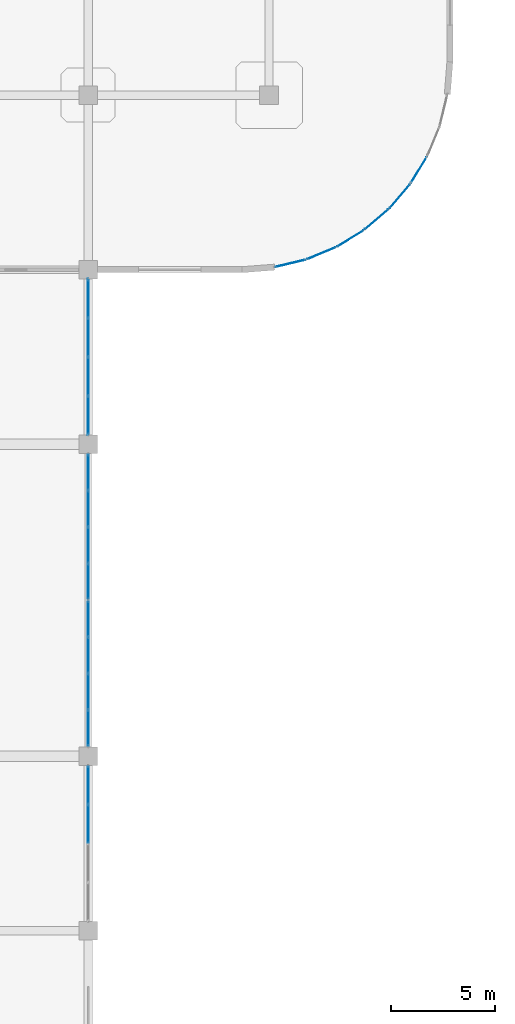
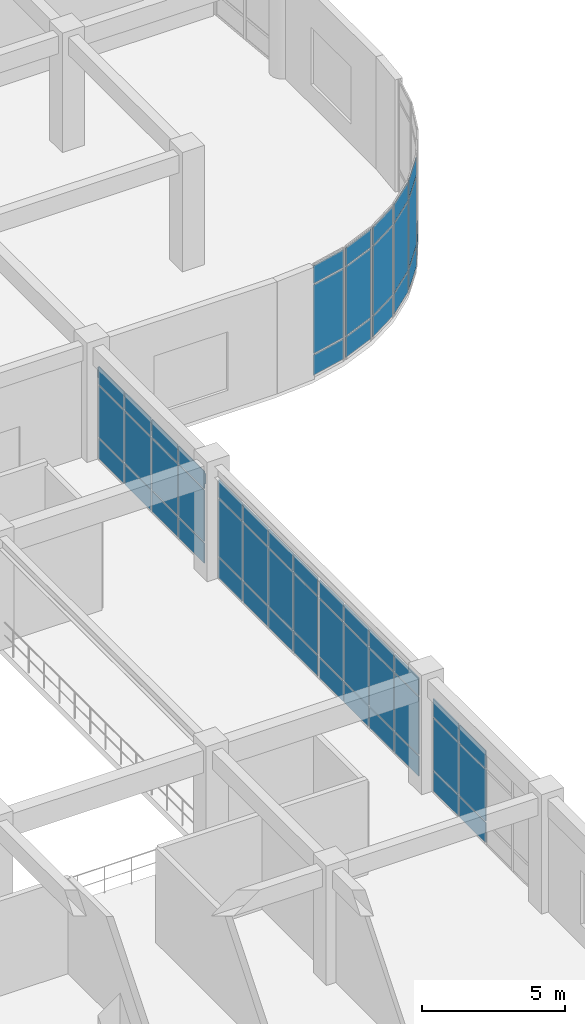
# One storey, part 96 of 120: 59 plates, 10 elements without a shape of their own.
"""IFC4 building model written with IfcOpenShell, lengths in metres."""

from ifc_helpers import new_model, si_unit, derived_unit, direction, frame, origin, origin_2d, place, context, subcontext, project, spatial, rectangle, extrude, material, layer, layer_set, type_object, element, aggregate, save


model = new_model("IFC4")

# Units and contexts
model_context = context("Model", 3, precision=1e-05, world=origin(), true_north=direction((0.0, 1.0)))
body_context = subcontext(model_context, "Body", "Model", "MODEL_VIEW")
ifc_project = project(units=[si_unit("LENGTHUNIT", "METRE"), si_unit("AREAUNIT", "SQUARE_METRE"), si_unit("VOLUMEUNIT", "CUBIC_METRE"), si_unit("PLANEANGLEUNIT", "RADIAN"), si_unit("MASSUNIT", "GRAM", prefix="KILO"), derived_unit("THERMALTRANSMITTANCEUNIT", [(si_unit("MASSUNIT", "GRAM", prefix="KILO"), 1), (si_unit("TIMEUNIT", "SECOND"), -3), (si_unit("THERMODYNAMICTEMPERATUREUNIT", "KELVIN"), -1)])], contexts=[model_context])

# Site, building, storey
site_placement = place(None, origin())
site = spatial("IfcSite", under=ifc_project, at=site_placement, CompositionType="ELEMENT")
building_placement = place(site_placement, origin())
building = spatial("IfcBuilding", under=site, at=building_placement, Name="Qinzheling Arcade Emporium", CompositionType="ELEMENT")
storey_placement = place(building_placement, frame((0.0, 0.0, 11.39990234375)))
storey = spatial("IfcBuildingStorey", under=building, at=storey_placement, Name="L03", CompositionType="ELEMENT", Elevation=11.39990234375)

# Curtain wall, plate
ifc_material_1 = material(Name="Anodised aluminium and solar-control double glazing", Category="aluminium")
ifc_layer_1 = layer(ifc_material_1, 0.159912109375, Name="Anodised aluminium and solar-control double glazing", Category="aluminium")
ifc_layer_set_1 = layer_set([ifc_layer_1], Name="Anodised aluminium and solar-control double glazing")
curtain_wall_type_1 = type_object("IfcCurtainWallType", Name="Curved Ribbon Sales Curtain Wall", PredefinedType="NOTDEFINED", material=ifc_layer_set_1)
curtain_wall_1_placement = place(storey_placement, origin())
curtain_wall_1 = element("IfcCurtainWall", 1, at=curtain_wall_1_placement, inside=storey, type_object=curtain_wall_type_1, Name="Curtain Wall CW-L03-194", PredefinedType="NOTDEFINED")
ifc_material_2 = material(Name="Laminated solar-control double glazing", Category="glass")
ifc_layer_2 = layer(ifc_material_2, 0.02587890625, Name="Laminated solar-control double glazing", Category="glass")
ifc_layer_set_2 = layer_set([ifc_layer_2], Name="Laminated solar-control double glazing")
plate_type_1 = type_object("IfcPlateType", Name="Low-E Double Glazed Curtain Panel 26mm", PredefinedType="CURTAIN_PANEL", material=ifc_layer_set_2)
plate_1_placement = place(storey_placement, frame((146.39990234375, 78.591064453125, 0.06005859375), z_axis=(0.0, 0.0, 1.0), x_axis=(-0.522532172191, -0.852619568756, 0.0)))
plate_1 = element("IfcPlate", 2, at=plate_1_placement, type_object=plate_type_1, Name="CW02 panel 1.1", PredefinedType="CURTAIN_PANEL", context=body_context, shape_type="SweptSolid", body=[
    extrude(rectangle(XDim=1.44921875, YDim=0.02587890625, at=origin_2d()), origin(), (0.0, 0.0, 1.0), 0.860107421875),
])
aggregate(curtain_wall_1, [plate_1])

# Curtain wall, plates
curtain_wall_2_placement = place(storey_placement, origin())
curtain_wall_2 = element("IfcCurtainWall", 3, at=curtain_wall_2_placement, inside=storey, type_object=curtain_wall_type_1, Name="Curtain Wall CW-L03-195", PredefinedType="NOTDEFINED")
ifc_layer_3 = layer(ifc_material_2, 0.027099609375, Name="Laminated solar-control double glazing", Category="glass")
ifc_layer_set_3 = layer_set([ifc_layer_3], Name="Laminated solar-control double glazing")
plate_type_2 = type_object("IfcPlateType", Name="Low-E Double Glazed Curtain Panel 27mm", PredefinedType="CURTAIN_PANEL", material=ifc_layer_set_3)
plate_2_placement = place(storey_placement, frame((145.48046875, 77.325439453125, 0.06005859375), z_axis=(0.0, 0.0, 1.0), x_axis=(-0.649478172878, -0.760380235773, 0.0)))
plate_2 = element("IfcPlate", 4, at=plate_2_placement, type_object=plate_type_2, Name="CW02 panel 1.1", PredefinedType="CURTAIN_PANEL", context=body_context, shape_type="SweptSolid", body=[
    extrude(rectangle(XDim=1.448974609375, YDim=0.027099609375, at=origin_2d()), origin(), (0.0, 0.0, 1.0), 0.860107421875),
])
plate_3_placement = place(storey_placement, frame((145.48046875, 77.325439453125, 0.97998046875), z_axis=(0.0, 0.0, 1.0), x_axis=(-0.649478172878, -0.760380235773, 0.0)))
plate_3 = element("IfcPlate", 5, at=plate_3_placement, type_object=plate_type_2, Name="CW02 panel 1.2", PredefinedType="CURTAIN_PANEL", context=body_context, shape_type="SweptSolid", body=[
    extrude(rectangle(XDim=1.448974609375, YDim=0.027099609375, at=origin_2d()), origin(), (0.0, 0.0, 1.0), 2.929931640625),
])
plate_4_placement = place(storey_placement, frame((145.48046875, 77.325439453125, 3.97021484375), z_axis=(0.0, 0.0, 1.0), x_axis=(-0.649478172878, -0.760380235773, 0.0)))
plate_4 = element("IfcPlate", 6, at=plate_4_placement, type_object=plate_type_2, Name="CW02 panel 1.3", PredefinedType="CURTAIN_PANEL", context=body_context, shape_type="SweptSolid", body=[
    extrude(rectangle(XDim=1.448974609375, YDim=0.027099609375, at=origin_2d()), origin(), (0.0, 0.0, 1.0), 0.760009765625),
])
aggregate(curtain_wall_2, [plate_2, plate_3, plate_4])

curtain_wall_3_placement = place(storey_placement, origin())
curtain_wall_3 = element("IfcCurtainWall", 7, at=curtain_wall_3_placement, inside=storey, type_object=curtain_wall_type_1, Name="Curtain Wall CW-L03-196", PredefinedType="NOTDEFINED")
ifc_layer_4 = layer(ifc_material_2, 0.028076171875, Name="Laminated solar-control double glazing", Category="glass")
ifc_layer_set_4 = layer_set([ifc_layer_4], Name="Laminated solar-control double glazing")
plate_type_3 = type_object("IfcPlateType", Name="Low-E Double Glazed Curtain Panel 28mm", PredefinedType="CURTAIN_PANEL", material=ifc_layer_set_4)
plate_5_placement = place(storey_placement, frame((144.37451171875, 76.219482421875, 0.06005859375), z_axis=(0.0, 0.0, 1.0), x_axis=(-0.760380235773, -0.649478172878, 0.0)))
plate_5 = element("IfcPlate", 8, at=plate_5_placement, type_object=plate_type_3, Name="CW02 panel 1.1", PredefinedType="CURTAIN_PANEL", context=body_context, shape_type="SweptSolid", body=[
    extrude(rectangle(XDim=1.448974609375, YDim=0.028076171875, at=origin_2d()), origin(), (0.0, 0.0, 1.0), 0.860107421875),
])
plate_6_placement = place(storey_placement, frame((144.37451171875, 76.219482421875, 0.97998046875), z_axis=(0.0, 0.0, 1.0), x_axis=(-0.760380235773, -0.649478172878, 0.0)))
plate_6 = element("IfcPlate", 9, at=plate_6_placement, type_object=plate_type_3, Name="CW02 panel 1.2", PredefinedType="CURTAIN_PANEL", context=body_context, shape_type="SweptSolid", body=[
    extrude(rectangle(XDim=1.448974609375, YDim=0.028076171875, at=origin_2d()), origin(), (0.0, 0.0, 1.0), 2.929931640625),
])
plate_7_placement = place(storey_placement, frame((144.37451171875, 76.219482421875, 3.97021484375), z_axis=(0.0, 0.0, 1.0), x_axis=(-0.760380235773, -0.649478172878, 0.0)))
plate_7 = element("IfcPlate", 10, at=plate_7_placement, type_object=plate_type_3, Name="CW02 panel 1.3", PredefinedType="CURTAIN_PANEL", context=body_context, shape_type="SweptSolid", body=[
    extrude(rectangle(XDim=1.448974609375, YDim=0.028076171875, at=origin_2d()), origin(), (0.0, 0.0, 1.0), 0.760009765625),
])
aggregate(curtain_wall_3, [plate_5, plate_6, plate_7])

curtain_wall_4_placement = place(storey_placement, origin())
curtain_wall_4 = element("IfcCurtainWall", 11, at=curtain_wall_4_placement, inside=storey, type_object=curtain_wall_type_1, Name="Curtain Wall CW-L03-197", PredefinedType="NOTDEFINED")
ifc_layer_5 = layer(ifc_material_2, 0.029052734375, Name="Laminated solar-control double glazing", Category="glass")
ifc_layer_set_5 = layer_set([ifc_layer_5], Name="Laminated solar-control double glazing")
plate_type_4 = type_object("IfcPlateType", Name="Low-E Double Glazed Curtain Panel 29mm", PredefinedType="CURTAIN_PANEL", material=ifc_layer_set_5)
plate_8_placement = place(storey_placement, frame((143.10888671875, 75.300048828125, 0.06005859375), z_axis=(0.0, 0.0, 1.0), x_axis=(-0.852619568756, -0.522532172191, 0.0)))
plate_8 = element("IfcPlate", 12, at=plate_8_placement, type_object=plate_type_4, Name="CW02 panel 1.1", PredefinedType="CURTAIN_PANEL", context=body_context, shape_type="SweptSolid", body=[
    extrude(rectangle(XDim=1.44921875, YDim=0.029052734375, at=origin_2d()), origin(), (0.0, 0.0, 1.0), 0.860107421875),
])
plate_9_placement = place(storey_placement, frame((143.10888671875, 75.300048828125, 0.97998046875), z_axis=(0.0, 0.0, 1.0), x_axis=(-0.852619568756, -0.522532172191, 0.0)))
plate_9 = element("IfcPlate", 13, at=plate_9_placement, type_object=plate_type_4, Name="CW02 panel 1.2", PredefinedType="CURTAIN_PANEL", context=body_context, shape_type="SweptSolid", body=[
    extrude(rectangle(XDim=1.44921875, YDim=0.029052734375, at=origin_2d()), origin(), (0.0, 0.0, 1.0), 2.929931640625),
])
plate_10_placement = place(storey_placement, frame((143.10888671875, 75.300048828125, 3.97021484375), z_axis=(0.0, 0.0, 1.0), x_axis=(-0.852619568756, -0.522532172191, 0.0)))
plate_10 = element("IfcPlate", 14, at=plate_10_placement, type_object=plate_type_4, Name="CW02 panel 1.3", PredefinedType="CURTAIN_PANEL", context=body_context, shape_type="SweptSolid", body=[
    extrude(rectangle(XDim=1.44921875, YDim=0.029052734375, at=origin_2d()), origin(), (0.0, 0.0, 1.0), 0.760009765625),
])
aggregate(curtain_wall_4, [plate_8, plate_9, plate_10])

curtain_wall_5_placement = place(storey_placement, origin())
curtain_wall_5 = element("IfcCurtainWall", 15, at=curtain_wall_5_placement, inside=storey, type_object=curtain_wall_type_1, Name="Curtain Wall CW-L03-198", PredefinedType="NOTDEFINED")
ifc_layer_6 = layer(ifc_material_2, 0.030029296875, Name="Laminated solar-control double glazing", Category="glass")
ifc_layer_set_6 = layer_set([ifc_layer_6], Name="Laminated solar-control double glazing")
plate_type_5 = type_object("IfcPlateType", Name="Low-E Double Glazed Curtain Panel 30mm", PredefinedType="CURTAIN_PANEL", material=ifc_layer_set_6)
plate_11_placement = place(storey_placement, frame((141.715087890625, 74.589599609375, 0.06005859375), z_axis=(0.0, 0.0, 1.0), x_axis=(-0.923791586038, -0.382895684967, 0.0)))
plate_11 = element("IfcPlate", 16, at=plate_11_placement, type_object=plate_type_5, Name="CW02 panel 1.1", PredefinedType="CURTAIN_PANEL", context=body_context, shape_type="SweptSolid", body=[
    extrude(rectangle(XDim=1.44970703125, YDim=0.030029296875, at=origin_2d()), origin(), (0.0, 0.0, 1.0), 0.860107421875),
])
plate_12_placement = place(storey_placement, frame((141.715087890625, 74.589599609375, 0.97998046875), z_axis=(0.0, 0.0, 1.0), x_axis=(-0.923791586038, -0.382895684967, 0.0)))
plate_12 = element("IfcPlate", 17, at=plate_12_placement, type_object=plate_type_5, Name="CW02 panel 1.2", PredefinedType="CURTAIN_PANEL", context=body_context, shape_type="SweptSolid", body=[
    extrude(rectangle(XDim=1.44970703125, YDim=0.030029296875, at=origin_2d()), origin(), (0.0, 0.0, 1.0), 2.929931640625),
])
plate_13_placement = place(storey_placement, frame((141.715087890625, 74.589599609375, 3.97021484375), z_axis=(0.0, 0.0, 1.0), x_axis=(-0.923791586038, -0.382895684967, 0.0)))
plate_13 = element("IfcPlate", 18, at=plate_13_placement, type_object=plate_type_5, Name="CW02 panel 1.3", PredefinedType="CURTAIN_PANEL", context=body_context, shape_type="SweptSolid", body=[
    extrude(rectangle(XDim=1.44970703125, YDim=0.030029296875, at=origin_2d()), origin(), (0.0, 0.0, 1.0), 0.760009765625),
])
aggregate(curtain_wall_5, [plate_11, plate_12, plate_13])

curtain_wall_6_placement = place(storey_placement, origin())
curtain_wall_6 = element("IfcCurtainWall", 19, at=curtain_wall_6_placement, inside=storey, type_object=curtain_wall_type_1, Name="Curtain Wall CW-L03-199", PredefinedType="NOTDEFINED")
ifc_layer_7 = layer(ifc_material_2, 0.031005859375, Name="Laminated solar-control double glazing", Category="glass")
ifc_layer_set_7 = layer_set([ifc_layer_7], Name="Laminated solar-control double glazing")
plate_type_6 = type_object("IfcPlateType", Name="Low-E Double Glazed Curtain Panel 31mm", PredefinedType="CURTAIN_PANEL", material=ifc_layer_set_7)
plate_14_placement = place(storey_placement, frame((140.22705078125, 74.10595703125, 0.06005859375), z_axis=(0.0, 0.0, 1.0), x_axis=(-0.972421996964, -0.233228342659, 0.0)))
plate_14 = element("IfcPlate", 20, at=plate_14_placement, type_object=plate_type_6, Name="CW02 panel 1.1", PredefinedType="CURTAIN_PANEL", context=body_context, shape_type="SweptSolid", body=[
    extrude(rectangle(XDim=1.44921875, YDim=0.031005859375, at=origin_2d()), origin(), (0.0, 0.0, 1.0), 0.860107421875),
])
plate_15_placement = place(storey_placement, frame((140.22705078125, 74.10595703125, 0.97998046875), z_axis=(0.0, 0.0, 1.0), x_axis=(-0.972421996964, -0.233228342659, 0.0)))
plate_15 = element("IfcPlate", 21, at=plate_15_placement, type_object=plate_type_6, Name="CW02 panel 1.2", PredefinedType="CURTAIN_PANEL", context=body_context, shape_type="SweptSolid", body=[
    extrude(rectangle(XDim=1.44921875, YDim=0.031005859375, at=origin_2d()), origin(), (0.0, 0.0, 1.0), 2.929931640625),
])
plate_16_placement = place(storey_placement, frame((140.22705078125, 74.10595703125, 3.97021484375), z_axis=(0.0, 0.0, 1.0), x_axis=(-0.972421996964, -0.233228342659, 0.0)))
plate_16 = element("IfcPlate", 22, at=plate_16_placement, type_object=plate_type_6, Name="CW02 panel 1.3", PredefinedType="CURTAIN_PANEL", context=body_context, shape_type="SweptSolid", body=[
    extrude(rectangle(XDim=1.44921875, YDim=0.031005859375, at=origin_2d()), origin(), (0.0, 0.0, 1.0), 0.760009765625),
])
aggregate(curtain_wall_6, [plate_14, plate_15, plate_16])

ifc_layer_8 = layer(ifc_material_1, 0.159912109375, Name="Anodised aluminium and solar-control double glazing", Category="aluminium")
ifc_layer_set_8 = layer_set([ifc_layer_8], Name="Anodised aluminium and solar-control double glazing")
curtain_wall_type_2 = type_object("IfcCurtainWallType", Name="Arcade Portal Glazed Curtain Wall", PredefinedType="NOTDEFINED", material=ifc_layer_set_8)
curtain_wall_7_placement = place(storey_placement, origin())
curtain_wall_7 = element("IfcCurtainWall", 23, at=curtain_wall_7_placement, inside=storey, type_object=curtain_wall_type_2, Name="Curtain Wall CW-L03-200", PredefinedType="NOTDEFINED")
ifc_layer_9 = layer(ifc_material_2, 0.031982421875, Name="Laminated solar-control double glazing", Category="glass")
ifc_layer_set_9 = layer_set([ifc_layer_9], Name="Laminated solar-control double glazing")
plate_type_7 = type_object("IfcPlateType", Name="Low-E Double Glazed Curtain Panel 32mm", PredefinedType="CURTAIN_PANEL", material=ifc_layer_set_9)
plate_17_placement = place(storey_placement, frame((130.5, 72.39599609375, 0.06005859375), z_axis=(0.0, 0.0, 1.0), x_axis=(0.0, -1.0, 0.0)))
plate_17 = element("IfcPlate", 24, at=plate_17_placement, type_object=plate_type_7, Name="CW05 panel 1.1", PredefinedType="CURTAIN_PANEL", context=body_context, shape_type="SweptSolid", body=[
    extrude(rectangle(XDim=1.783935546875, YDim=0.031982421875, at=origin_2d()), origin(), (0.0, 0.0, 1.0), 0.860107421875),
])
plate_18_placement = place(storey_placement, frame((130.5, 72.39599609375, 0.97998046875), z_axis=(0.0, 0.0, 1.0), x_axis=(0.0, -1.0, 0.0)))
plate_18 = element("IfcPlate", 25, at=plate_18_placement, type_object=plate_type_7, Name="CW05 panel 1.2", PredefinedType="CURTAIN_PANEL", context=body_context, shape_type="SweptSolid", body=[
    extrude(rectangle(XDim=1.783935546875, YDim=0.031982421875, at=origin_2d()), origin(), (0.0, 0.0, 1.0), 2.195068359375),
])
plate_19_placement = place(storey_placement, frame((130.5, 72.39599609375, 3.23486328125), z_axis=(0.0, 0.0, 1.0), x_axis=(0.0, -1.0, 0.0)))
plate_19 = element("IfcPlate", 26, at=plate_19_placement, type_object=plate_type_7, Name="CW05 panel 1.3", PredefinedType="CURTAIN_PANEL", context=body_context, shape_type="SweptSolid", body=[
    extrude(rectangle(XDim=1.783935546875, YDim=0.031982421875, at=origin_2d()), origin(), (0.0, 0.0, 1.0), 0.760009765625),
])
plate_20_placement = place(storey_placement, frame((130.5, 70.537109375, 0.06005859375), z_axis=(0.0, 0.0, 1.0), x_axis=(0.0, -1.0, 0.0)))
plate_20 = element("IfcPlate", 27, at=plate_20_placement, type_object=plate_type_7, Name="CW05 panel 2.1", PredefinedType="CURTAIN_PANEL", context=body_context, shape_type="SweptSolid", body=[
    extrude(rectangle(XDim=1.81396484375, YDim=0.031982421875, at=origin_2d()), origin(), (0.0, 0.0, 1.0), 0.860107421875),
])
plate_21_placement = place(storey_placement, frame((130.5, 70.537109375, 0.97998046875), z_axis=(0.0, 0.0, 1.0), x_axis=(0.0, -1.0, 0.0)))
plate_21 = element("IfcPlate", 28, at=plate_21_placement, type_object=plate_type_7, Name="CW05 panel 2.2", PredefinedType="CURTAIN_PANEL", context=body_context, shape_type="SweptSolid", body=[
    extrude(rectangle(XDim=1.81396484375, YDim=0.031982421875, at=origin_2d()), origin(), (0.0, 0.0, 1.0), 2.195068359375),
])
plate_22_placement = place(storey_placement, frame((130.5, 70.537109375, 3.23486328125), z_axis=(0.0, 0.0, 1.0), x_axis=(0.0, -1.0, 0.0)))
plate_22 = element("IfcPlate", 29, at=plate_22_placement, type_object=plate_type_7, Name="CW05 panel 2.3", PredefinedType="CURTAIN_PANEL", context=body_context, shape_type="SweptSolid", body=[
    extrude(rectangle(XDim=1.81396484375, YDim=0.031982421875, at=origin_2d()), origin(), (0.0, 0.0, 1.0), 0.760009765625),
])
plate_23_placement = place(storey_placement, frame((130.5, 68.6630859375, 0.06005859375), z_axis=(0.0, 0.0, 1.0), x_axis=(0.0, -1.0, 0.0)))
plate_23 = element("IfcPlate", 30, at=plate_23_placement, type_object=plate_type_7, Name="CW05 panel 3.1", PredefinedType="CURTAIN_PANEL", context=body_context, shape_type="SweptSolid", body=[
    extrude(rectangle(XDim=1.81396484375, YDim=0.031982421875, at=origin_2d()), origin(), (0.0, 0.0, 1.0), 0.860107421875),
])
plate_24_placement = place(storey_placement, frame((130.5, 68.6630859375, 0.97998046875), z_axis=(0.0, 0.0, 1.0), x_axis=(0.0, -1.0, 0.0)))
plate_24 = element("IfcPlate", 31, at=plate_24_placement, type_object=plate_type_7, Name="CW05 panel 3.2", PredefinedType="CURTAIN_PANEL", context=body_context, shape_type="SweptSolid", body=[
    extrude(rectangle(XDim=1.81396484375, YDim=0.031982421875, at=origin_2d()), origin(), (0.0, 0.0, 1.0), 2.195068359375),
])
plate_25_placement = place(storey_placement, frame((130.5, 68.6630859375, 3.23486328125), z_axis=(0.0, 0.0, 1.0), x_axis=(0.0, -1.0, 0.0)))
plate_25 = element("IfcPlate", 32, at=plate_25_placement, type_object=plate_type_7, Name="CW05 panel 3.3", PredefinedType="CURTAIN_PANEL", context=body_context, shape_type="SweptSolid", body=[
    extrude(rectangle(XDim=1.81396484375, YDim=0.031982421875, at=origin_2d()), origin(), (0.0, 0.0, 1.0), 0.760009765625),
])
plate_26_placement = place(storey_placement, frame((130.5, 66.803955078125, 0.06005859375), z_axis=(0.0, 0.0, 1.0), x_axis=(0.0, -1.0, 0.0)))
plate_26 = element("IfcPlate", 33, at=plate_26_placement, type_object=plate_type_7, Name="CW05 panel 4.1", PredefinedType="CURTAIN_PANEL", context=body_context, shape_type="SweptSolid", body=[
    extrude(rectangle(XDim=1.783935546875, YDim=0.031982421875, at=origin_2d()), origin(), (0.0, 0.0, 1.0), 0.860107421875),
])
plate_27_placement = place(storey_placement, frame((130.5, 66.803955078125, 0.97998046875), z_axis=(0.0, 0.0, 1.0), x_axis=(0.0, -1.0, 0.0)))
plate_27 = element("IfcPlate", 34, at=plate_27_placement, type_object=plate_type_7, Name="CW05 panel 4.2", PredefinedType="CURTAIN_PANEL", context=body_context, shape_type="SweptSolid", body=[
    extrude(rectangle(XDim=1.783935546875, YDim=0.031982421875, at=origin_2d()), origin(), (0.0, 0.0, 1.0), 2.195068359375),
])
plate_28_placement = place(storey_placement, frame((130.5, 66.803955078125, 3.23486328125), z_axis=(0.0, 0.0, 1.0), x_axis=(0.0, -1.0, 0.0)))
plate_28 = element("IfcPlate", 35, at=plate_28_placement, type_object=plate_type_7, Name="CW05 panel 4.3", PredefinedType="CURTAIN_PANEL", context=body_context, shape_type="SweptSolid", body=[
    extrude(rectangle(XDim=1.783935546875, YDim=0.031982421875, at=origin_2d()), origin(), (0.0, 0.0, 1.0), 0.760009765625),
])
aggregate(curtain_wall_7, [plate_17, plate_18, plate_19, plate_20, plate_21, plate_22, plate_23, plate_24, plate_25, plate_26, plate_27, plate_28])

curtain_wall_8_placement = place(storey_placement, origin())
curtain_wall_8 = element("IfcCurtainWall", 36, at=curtain_wall_8_placement, inside=storey, type_object=curtain_wall_type_2, Name="Curtain Wall CW-L03-201", PredefinedType="NOTDEFINED")
ifc_layer_10 = layer(ifc_material_2, 0.033935546875, Name="Laminated solar-control double glazing", Category="glass")
ifc_layer_set_10 = layer_set([ifc_layer_10], Name="Laminated solar-control double glazing")
plate_type_8 = type_object("IfcPlateType", Name="Low-E Double Glazed Curtain Panel 34mm", PredefinedType="CURTAIN_PANEL", material=ifc_layer_set_10)
plate_29_placement = place(storey_placement, frame((130.5, 64.05224609375, 0.06005859375), z_axis=(0.0, 0.0, 1.0), x_axis=(0.0, -1.0, 0.0)))
plate_29 = element("IfcPlate", 37, at=plate_29_placement, type_object=plate_type_8, Name="CW05 panel 1.1", PredefinedType="CURTAIN_PANEL", context=body_context, shape_type="SweptSolid", body=[
    extrude(rectangle(XDim=1.67138671875, YDim=0.033935546875, at=origin_2d()), origin(), (0.0, 0.0, 1.0), 0.860107421875),
])
plate_30_placement = place(storey_placement, frame((130.5, 64.05224609375, 0.97998046875), z_axis=(0.0, 0.0, 1.0), x_axis=(0.0, -1.0, 0.0)))
plate_30 = element("IfcPlate", 38, at=plate_30_placement, type_object=plate_type_8, Name="CW05 panel 1.2", PredefinedType="CURTAIN_PANEL", context=body_context, shape_type="SweptSolid", body=[
    extrude(rectangle(XDim=1.67138671875, YDim=0.033935546875, at=origin_2d()), origin(), (0.0, 0.0, 1.0), 2.45703125),
])
plate_31_placement = place(storey_placement, frame((130.5, 64.05224609375, 3.4970703125), z_axis=(0.0, 0.0, 1.0), x_axis=(0.0, -1.0, 0.0)))
plate_31 = element("IfcPlate", 39, at=plate_31_placement, type_object=plate_type_8, Name="CW05 panel 1.3", PredefinedType="CURTAIN_PANEL", context=body_context, shape_type="SweptSolid", body=[
    extrude(rectangle(XDim=1.67138671875, YDim=0.033935546875, at=origin_2d()), origin(), (0.0, 0.0, 1.0), 0.760009765625),
])
plate_32_placement = place(storey_placement, frame((130.5, 62.3056640625, 0.06005859375), z_axis=(0.0, 0.0, 1.0), x_axis=(0.0, -1.0, 0.0)))
plate_32 = element("IfcPlate", 40, at=plate_32_placement, type_object=plate_type_8, Name="CW05 panel 2.1", PredefinedType="CURTAIN_PANEL", context=body_context, shape_type="SweptSolid", body=[
    extrude(rectangle(XDim=1.701416015625, YDim=0.033935546875, at=origin_2d()), origin(), (0.0, 0.0, 1.0), 0.860107421875),
])
plate_33_placement = place(storey_placement, frame((130.5, 62.3056640625, 0.97998046875), z_axis=(0.0, 0.0, 1.0), x_axis=(0.0, -1.0, 0.0)))
plate_33 = element("IfcPlate", 41, at=plate_33_placement, type_object=plate_type_8, Name="CW05 panel 2.2", PredefinedType="CURTAIN_PANEL", context=body_context, shape_type="SweptSolid", body=[
    extrude(rectangle(XDim=1.701416015625, YDim=0.033935546875, at=origin_2d()), origin(), (0.0, 0.0, 1.0), 2.45703125),
])
plate_34_placement = place(storey_placement, frame((130.5, 62.3056640625, 3.4970703125), z_axis=(0.0, 0.0, 1.0), x_axis=(0.0, -1.0, 0.0)))
plate_34 = element("IfcPlate", 42, at=plate_34_placement, type_object=plate_type_8, Name="CW05 panel 2.3", PredefinedType="CURTAIN_PANEL", context=body_context, shape_type="SweptSolid", body=[
    extrude(rectangle(XDim=1.701416015625, YDim=0.033935546875, at=origin_2d()), origin(), (0.0, 0.0, 1.0), 0.760009765625),
])
plate_35_placement = place(storey_placement, frame((130.5, 60.544189453125, 0.06005859375), z_axis=(0.0, 0.0, 1.0), x_axis=(0.0, -1.0, 0.0)))
plate_35 = element("IfcPlate", 43, at=plate_35_placement, type_object=plate_type_8, Name="CW05 panel 3.1", PredefinedType="CURTAIN_PANEL", context=body_context, shape_type="SweptSolid", body=[
    extrude(rectangle(XDim=1.701416015625, YDim=0.033935546875, at=origin_2d()), origin(), (0.0, 0.0, 1.0), 0.860107421875),
])
plate_36_placement = place(storey_placement, frame((130.5, 60.544189453125, 0.97998046875), z_axis=(0.0, 0.0, 1.0), x_axis=(0.0, -1.0, 0.0)))
plate_36 = element("IfcPlate", 44, at=plate_36_placement, type_object=plate_type_8, Name="CW05 panel 3.2", PredefinedType="CURTAIN_PANEL", context=body_context, shape_type="SweptSolid", body=[
    extrude(rectangle(XDim=1.701416015625, YDim=0.033935546875, at=origin_2d()), origin(), (0.0, 0.0, 1.0), 2.45703125),
])
plate_37_placement = place(storey_placement, frame((130.5, 60.544189453125, 3.4970703125), z_axis=(0.0, 0.0, 1.0), x_axis=(0.0, -1.0, 0.0)))
plate_37 = element("IfcPlate", 45, at=plate_37_placement, type_object=plate_type_8, Name="CW05 panel 3.3", PredefinedType="CURTAIN_PANEL", context=body_context, shape_type="SweptSolid", body=[
    extrude(rectangle(XDim=1.701416015625, YDim=0.033935546875, at=origin_2d()), origin(), (0.0, 0.0, 1.0), 0.760009765625),
])
plate_38_placement = place(storey_placement, frame((130.5, 58.7978515625, 0.06005859375), z_axis=(0.0, 0.0, 1.0), x_axis=(0.0, -1.0, 0.0)))
plate_38 = element("IfcPlate", 46, at=plate_38_placement, type_object=plate_type_8, Name="CW05 panel 4.1", PredefinedType="CURTAIN_PANEL", context=body_context, shape_type="SweptSolid", body=[
    extrude(rectangle(XDim=1.67138671875, YDim=0.033935546875, at=origin_2d()), origin(), (0.0, 0.0, 1.0), 0.860107421875),
])
plate_39_placement = place(storey_placement, frame((130.5, 58.7978515625, 0.97998046875), z_axis=(0.0, 0.0, 1.0), x_axis=(0.0, -1.0, 0.0)))
plate_39 = element("IfcPlate", 47, at=plate_39_placement, type_object=plate_type_8, Name="CW05 panel 4.2", PredefinedType="CURTAIN_PANEL", context=body_context, shape_type="SweptSolid", body=[
    extrude(rectangle(XDim=1.67138671875, YDim=0.033935546875, at=origin_2d()), origin(), (0.0, 0.0, 1.0), 2.45703125),
])
plate_40_placement = place(storey_placement, frame((130.5, 58.7978515625, 3.4970703125), z_axis=(0.0, 0.0, 1.0), x_axis=(0.0, -1.0, 0.0)))
plate_40 = element("IfcPlate", 48, at=plate_40_placement, type_object=plate_type_8, Name="CW05 panel 4.3", PredefinedType="CURTAIN_PANEL", context=body_context, shape_type="SweptSolid", body=[
    extrude(rectangle(XDim=1.67138671875, YDim=0.033935546875, at=origin_2d()), origin(), (0.0, 0.0, 1.0), 0.760009765625),
])
aggregate(curtain_wall_8, [plate_29, plate_30, plate_31, plate_32, plate_33, plate_34, plate_35, plate_36, plate_37, plate_38, plate_39, plate_40])

curtain_wall_9_placement = place(storey_placement, origin())
curtain_wall_9 = element("IfcCurtainWall", 49, at=curtain_wall_9_placement, inside=storey, type_object=curtain_wall_type_2, Name="Curtain Wall CW-L03-202", PredefinedType="NOTDEFINED")
ifc_layer_11 = layer(ifc_material_2, 0.035888671875, Name="Laminated solar-control double glazing", Category="glass")
ifc_layer_set_11 = layer_set([ifc_layer_11], Name="Laminated solar-control double glazing")
plate_type_9 = type_object("IfcPlateType", Name="Low-E Double Glazed Curtain Panel 36mm", PredefinedType="CURTAIN_PANEL", material=ifc_layer_set_11)
plate_41_placement = place(storey_placement, frame((130.5, 57.002197265625, 0.06005859375), z_axis=(0.0, 0.0, 1.0), x_axis=(0.0, -1.0, 0.0)))
plate_41 = element("IfcPlate", 50, at=plate_41_placement, type_object=plate_type_9, Name="CW05 panel 1.1", PredefinedType="CURTAIN_PANEL", context=body_context, shape_type="SweptSolid", body=[
    extrude(rectangle(XDim=1.67138671875, YDim=0.035888671875, at=origin_2d()), origin(), (0.0, 0.0, 1.0), 0.860107421875),
])
plate_42_placement = place(storey_placement, frame((130.5, 57.002197265625, 0.97998046875), z_axis=(0.0, 0.0, 1.0), x_axis=(0.0, -1.0, 0.0)))
plate_42 = element("IfcPlate", 51, at=plate_42_placement, type_object=plate_type_9, Name="CW05 panel 1.2", PredefinedType="CURTAIN_PANEL", context=body_context, shape_type="SweptSolid", body=[
    extrude(rectangle(XDim=1.67138671875, YDim=0.035888671875, at=origin_2d()), origin(), (0.0, 0.0, 1.0), 2.45703125),
])
plate_43_placement = place(storey_placement, frame((130.5, 57.002197265625, 3.4970703125), z_axis=(0.0, 0.0, 1.0), x_axis=(0.0, -1.0, 0.0)))
plate_43 = element("IfcPlate", 52, at=plate_43_placement, type_object=plate_type_9, Name="CW05 panel 1.3", PredefinedType="CURTAIN_PANEL", context=body_context, shape_type="SweptSolid", body=[
    extrude(rectangle(XDim=1.67138671875, YDim=0.035888671875, at=origin_2d()), origin(), (0.0, 0.0, 1.0), 0.760009765625),
])
plate_44_placement = place(storey_placement, frame((130.5, 55.255859375, 0.06005859375), z_axis=(0.0, 0.0, 1.0), x_axis=(0.0, -1.0, 0.0)))
plate_44 = element("IfcPlate", 53, at=plate_44_placement, type_object=plate_type_9, Name="CW05 panel 2.1", PredefinedType="CURTAIN_PANEL", context=body_context, shape_type="SweptSolid", body=[
    extrude(rectangle(XDim=1.701416015625, YDim=0.035888671875, at=origin_2d()), origin(), (0.0, 0.0, 1.0), 0.860107421875),
])
plate_45_placement = place(storey_placement, frame((130.5, 55.255859375, 0.97998046875), z_axis=(0.0, 0.0, 1.0), x_axis=(0.0, -1.0, 0.0)))
plate_45 = element("IfcPlate", 54, at=plate_45_placement, type_object=plate_type_9, Name="CW05 panel 2.2", PredefinedType="CURTAIN_PANEL", context=body_context, shape_type="SweptSolid", body=[
    extrude(rectangle(XDim=1.701416015625, YDim=0.035888671875, at=origin_2d()), origin(), (0.0, 0.0, 1.0), 2.45703125),
])
plate_46_placement = place(storey_placement, frame((130.5, 55.255859375, 3.4970703125), z_axis=(0.0, 0.0, 1.0), x_axis=(0.0, -1.0, 0.0)))
plate_46 = element("IfcPlate", 55, at=plate_46_placement, type_object=plate_type_9, Name="CW05 panel 2.3", PredefinedType="CURTAIN_PANEL", context=body_context, shape_type="SweptSolid", body=[
    extrude(rectangle(XDim=1.701416015625, YDim=0.035888671875, at=origin_2d()), origin(), (0.0, 0.0, 1.0), 0.760009765625),
])
plate_47_placement = place(storey_placement, frame((130.5, 53.494140625, 0.06005859375), z_axis=(0.0, 0.0, 1.0), x_axis=(0.0, -1.0, 0.0)))
plate_47 = element("IfcPlate", 56, at=plate_47_placement, type_object=plate_type_9, Name="CW05 panel 3.1", PredefinedType="CURTAIN_PANEL", context=body_context, shape_type="SweptSolid", body=[
    extrude(rectangle(XDim=1.701416015625, YDim=0.035888671875, at=origin_2d()), origin(), (0.0, 0.0, 1.0), 0.860107421875),
])
plate_48_placement = place(storey_placement, frame((130.5, 53.494140625, 0.97998046875), z_axis=(0.0, 0.0, 1.0), x_axis=(0.0, -1.0, 0.0)))
plate_48 = element("IfcPlate", 57, at=plate_48_placement, type_object=plate_type_9, Name="CW05 panel 3.2", PredefinedType="CURTAIN_PANEL", context=body_context, shape_type="SweptSolid", body=[
    extrude(rectangle(XDim=1.701416015625, YDim=0.035888671875, at=origin_2d()), origin(), (0.0, 0.0, 1.0), 2.45703125),
])
plate_49_placement = place(storey_placement, frame((130.5, 53.494140625, 3.4970703125), z_axis=(0.0, 0.0, 1.0), x_axis=(0.0, -1.0, 0.0)))
plate_49 = element("IfcPlate", 58, at=plate_49_placement, type_object=plate_type_9, Name="CW05 panel 3.3", PredefinedType="CURTAIN_PANEL", context=body_context, shape_type="SweptSolid", body=[
    extrude(rectangle(XDim=1.701416015625, YDim=0.035888671875, at=origin_2d()), origin(), (0.0, 0.0, 1.0), 0.760009765625),
])
plate_50_placement = place(storey_placement, frame((130.5, 51.747802734375, 0.06005859375), z_axis=(0.0, 0.0, 1.0), x_axis=(0.0, -1.0, 0.0)))
plate_50 = element("IfcPlate", 59, at=plate_50_placement, type_object=plate_type_9, Name="CW05 panel 4.1", PredefinedType="CURTAIN_PANEL", context=body_context, shape_type="SweptSolid", body=[
    extrude(rectangle(XDim=1.67138671875, YDim=0.035888671875, at=origin_2d()), origin(), (0.0, 0.0, 1.0), 0.860107421875),
])
plate_51_placement = place(storey_placement, frame((130.5, 51.747802734375, 0.97998046875), z_axis=(0.0, 0.0, 1.0), x_axis=(0.0, -1.0, 0.0)))
plate_51 = element("IfcPlate", 60, at=plate_51_placement, type_object=plate_type_9, Name="CW05 panel 4.2", PredefinedType="CURTAIN_PANEL", context=body_context, shape_type="SweptSolid", body=[
    extrude(rectangle(XDim=1.67138671875, YDim=0.035888671875, at=origin_2d()), origin(), (0.0, 0.0, 1.0), 2.45703125),
])
plate_52_placement = place(storey_placement, frame((130.5, 51.747802734375, 3.4970703125), z_axis=(0.0, 0.0, 1.0), x_axis=(0.0, -1.0, 0.0)))
plate_52 = element("IfcPlate", 61, at=plate_52_placement, type_object=plate_type_9, Name="CW05 panel 4.3", PredefinedType="CURTAIN_PANEL", context=body_context, shape_type="SweptSolid", body=[
    extrude(rectangle(XDim=1.67138671875, YDim=0.035888671875, at=origin_2d()), origin(), (0.0, 0.0, 1.0), 0.760009765625),
])
aggregate(curtain_wall_9, [plate_41, plate_42, plate_43, plate_44, plate_45, plate_46, plate_47, plate_48, plate_49, plate_50, plate_51, plate_52])

curtain_wall_10_placement = place(storey_placement, origin())
curtain_wall_10 = element("IfcCurtainWall", 62, at=curtain_wall_10_placement, inside=storey, type_object=curtain_wall_type_2, Name="Curtain Wall CW-L03-203", PredefinedType="NOTDEFINED")
ifc_layer_12 = layer(ifc_material_2, 0.0380859375, Name="Laminated solar-control double glazing", Category="glass")
ifc_layer_set_12 = layer_set([ifc_layer_12], Name="Laminated solar-control double glazing")
plate_type_10 = type_object("IfcPlateType", Name="Low-E Double Glazed Curtain Panel 38mm", PredefinedType="CURTAIN_PANEL", material=ifc_layer_set_12)
plate_53_placement = place(storey_placement, frame((130.5, 48.99609375, 0.06005859375), z_axis=(0.0, 0.0, 1.0), x_axis=(0.0, -1.0, 0.0)))
plate_53 = element("IfcPlate", 63, at=plate_53_placement, type_object=plate_type_10, Name="CW05 panel 1.1", PredefinedType="CURTAIN_PANEL", context=body_context, shape_type="SweptSolid", body=[
    extrude(rectangle(XDim=1.783935546875, YDim=0.0380859375, at=origin_2d()), origin(), (0.0, 0.0, 1.0), 0.860107421875),
])
plate_54_placement = place(storey_placement, frame((130.5, 48.99609375, 0.97998046875), z_axis=(0.0, 0.0, 1.0), x_axis=(0.0, -1.0, 0.0)))
plate_54 = element("IfcPlate", 64, at=plate_54_placement, type_object=plate_type_10, Name="CW05 panel 1.2", PredefinedType="CURTAIN_PANEL", context=body_context, shape_type="SweptSolid", body=[
    extrude(rectangle(XDim=1.783935546875, YDim=0.0380859375, at=origin_2d()), origin(), (0.0, 0.0, 1.0), 2.195068359375),
])
plate_55_placement = place(storey_placement, frame((130.5, 48.99609375, 3.23486328125), z_axis=(0.0, 0.0, 1.0), x_axis=(0.0, -1.0, 0.0)))
plate_55 = element("IfcPlate", 65, at=plate_55_placement, type_object=plate_type_10, Name="CW05 panel 1.3", PredefinedType="CURTAIN_PANEL", context=body_context, shape_type="SweptSolid", body=[
    extrude(rectangle(XDim=1.783935546875, YDim=0.0380859375, at=origin_2d()), origin(), (0.0, 0.0, 1.0), 0.760009765625),
])
plate_56_placement = place(storey_placement, frame((130.5, 47.136962890625, 0.06005859375), z_axis=(0.0, 0.0, 1.0), x_axis=(0.0, -1.0, 0.0)))
plate_56 = element("IfcPlate", 66, at=plate_56_placement, type_object=plate_type_10, Name="CW05 panel 2.1", PredefinedType="CURTAIN_PANEL", context=body_context, shape_type="SweptSolid", body=[
    extrude(rectangle(XDim=1.81396484375, YDim=0.0380859375, at=origin_2d()), origin(), (0.0, 0.0, 1.0), 0.860107421875),
])
plate_57_placement = place(storey_placement, frame((130.5, 47.136962890625, 0.97998046875), z_axis=(0.0, 0.0, 1.0), x_axis=(0.0, -1.0, 0.0)))
plate_57 = element("IfcPlate", 67, at=plate_57_placement, type_object=plate_type_10, Name="CW05 panel 2.2", PredefinedType="CURTAIN_PANEL", context=body_context, shape_type="SweptSolid", body=[
    extrude(rectangle(XDim=1.81396484375, YDim=0.0380859375, at=origin_2d()), origin(), (0.0, 0.0, 1.0), 2.195068359375),
])
plate_58_placement = place(storey_placement, frame((130.5, 47.136962890625, 3.23486328125), z_axis=(0.0, 0.0, 1.0), x_axis=(0.0, -1.0, 0.0)))
plate_58 = element("IfcPlate", 68, at=plate_58_placement, type_object=plate_type_10, Name="CW05 panel 2.3", PredefinedType="CURTAIN_PANEL", context=body_context, shape_type="SweptSolid", body=[
    extrude(rectangle(XDim=1.81396484375, YDim=0.0380859375, at=origin_2d()), origin(), (0.0, 0.0, 1.0), 0.760009765625),
])
aggregate(curtain_wall_10, [plate_53, plate_54, plate_55, plate_56, plate_57, plate_58])

# Plate
ifc_material_3 = material(Name="Perforated anodised aluminium sheet", Category="aluminium")
ifc_layer_13 = layer(ifc_material_3, 0.02001953125, Name="Perforated anodised aluminium sheet", Category="aluminium")
ifc_layer_set_13 = layer_set([ifc_layer_13], Name="Perforated anodised aluminium sheet")
plate_type_11 = type_object("IfcPlateType", Name="Typhoon Storm Louvre Blade 20mm", PredefinedType="SHEET", material=ifc_layer_set_13)
plate_59_placement = place(storey_placement, frame((130.5, 69.60009765625, 3.47998046875), z_axis=(0.0, 0.0, 1.0), x_axis=(0.0, -1.0, 0.0)))
element("IfcPlate", 69, at=plate_59_placement, inside=storey, type_object=plate_type_11, Name="Storm Louvre PLT-SLV-L03-039", PredefinedType="SHEET", context=body_context, shape_type="SweptSolid", body=[
    extrude(rectangle(XDim=7.52587890625, YDim=0.02001953125, at=origin_2d()), origin(), (0.0, 0.0, 1.0), 0.449951171875),
])

save(model, "model.ifc")
